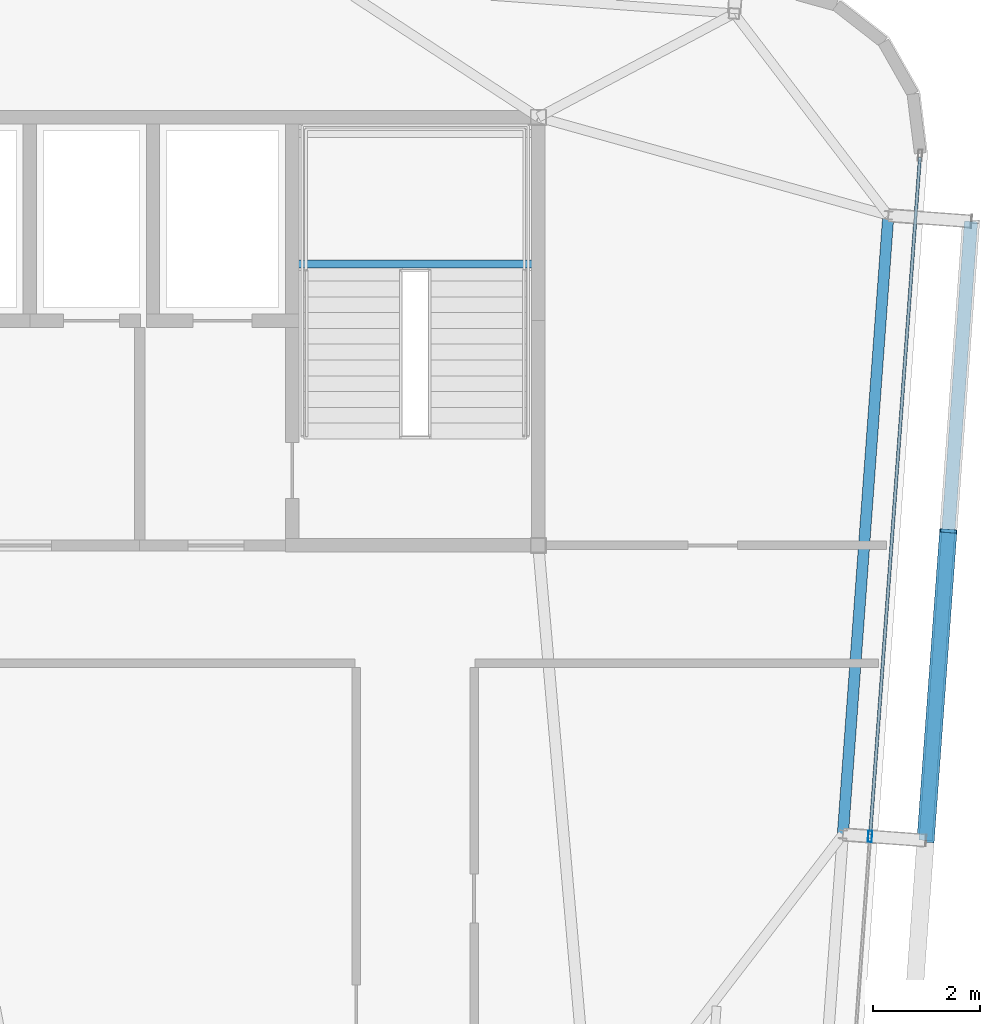
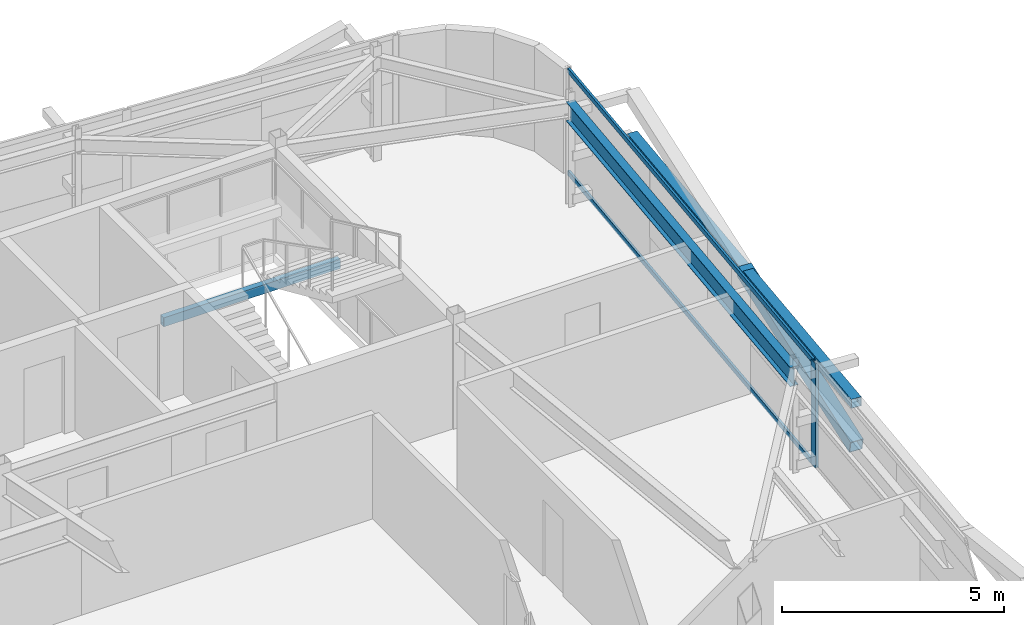
# One storey, part 21 of 40: 5 members, 2 beams, 1 element without a shape of its own.
"""IFC4 building model written with IfcOpenShell, lengths in metres."""

from ifc_helpers import new_model, si_unit, direction, frame, origin, origin_2d, place, context, subcontext, project, spatial, hollow_rectangle, i_section, extrude, source, transform, mapped, material, layer, layer_set, material_profile, profile_set, type_object, element, aggregate, save


model = new_model("IFC4")

# Units and contexts
model_context = context("Model", 3, precision=1e-05, world=origin(), true_north=direction((0.0, 1.0)))
body_context = subcontext(model_context, "Body", "Model", "MODEL_VIEW")
ifc_project = project(units=[si_unit("LENGTHUNIT", "METRE"), si_unit("AREAUNIT", "SQUARE_METRE"), si_unit("VOLUMEUNIT", "CUBIC_METRE"), si_unit("PLANEANGLEUNIT", "RADIAN"), si_unit("MASSUNIT", "GRAM", prefix="KILO")], contexts=[model_context])

# Site, building, storey
site_placement = place(None, origin())
site = spatial("IfcSite", under=ifc_project, at=site_placement, CompositionType="ELEMENT")
building_placement = place(site_placement, origin())
building = spatial("IfcBuilding", under=site, at=building_placement, Name="Taldren Reach Tower", CompositionType="ELEMENT")
storey_placement = place(building_placement, frame((0.0, 0.0, 233.449951171875)))
storey = spatial("IfcBuildingStorey", under=building, at=storey_placement, Name="L71", CompositionType="ELEMENT", Elevation=233.449951171875)

# Beam
ifc_material_1 = material(Name="Steel Gr 350 (350PLUS)", Category="steel")
ifc_material_profile_1 = material_profile(ifc_material_1, i_section(OverallWidth=0.208984375, OverallDepth=0.528076171875, WebThickness=0.009521484375, FlangeThickness=0.01318359375, at=origin_2d()), Name="530UB82.0")
ifc_profile_set_1 = profile_set([ifc_material_profile_1], Name="Steel Gr 350 (350PLUS)")
beam_type_1 = type_object("IfcBeamType", Name="SP-UB530B", PredefinedType="SPANDREL", material=ifc_profile_set_1)
shared_shape_1 = source(origin(), body_context, "Body", "SweptSolid", [
    extrude(i_section(OverallWidth=0.208984375, OverallDepth=0.528076171875, WebThickness=0.009521484375, FlangeThickness=0.01318359375, at=origin_2d()), origin(), (0.0, 0.0, 1.0), 11.60009765625),
])
beam_1_placement = place(storey_placement, frame((56.69140625, 18.599853515625, 2.60595703125), z_axis=(0.073221234109, 0.997315722766, 0.0), x_axis=(-0.997315722766, 0.073221234109, 0.0)))
element("IfcBeam", 1, at=beam_1_placement, inside=storey, type_object=beam_type_1, Name="Perimeter spandrel B5 E2-E3 L71", PredefinedType="SPANDREL", context=body_context, shape_type="MappedRepresentation", body=[
    mapped(shared_shape_1, transform((0.0, 0.0, 0.0), scale=1.0)),
])

# Members
ifc_material_2 = material(Name="Steel Gr 350 (C350L0)", Category="steel")
ifc_material_profile_2 = material_profile(ifc_material_2, hollow_rectangle(XDim=0.25, YDim=0.25, WallThickness=0.010009765625, at=origin_2d()), Name="250x250x10.0SHS")
ifc_profile_set_2 = profile_set([ifc_material_profile_2], Name="Steel Gr 350 (C350L0)")
member_type_1 = type_object("IfcMemberType", Name="MB-POST250", PredefinedType="POST", material=ifc_profile_set_2)
shared_shape_2 = source(origin(), body_context, "Body", "SweptSolid", [
    extrude(hollow_rectangle(XDim=0.25, YDim=0.25, WallThickness=0.010009765625, at=origin_2d()), origin(), (0.0, 0.0, 1.0), 11.60009765625),
])
member_1_placement = place(storey_placement, frame((58.237060546875, 18.486328125, 1.405029296875), z_axis=(0.073242167855, 0.997314185625, 0.0), x_axis=(-0.997314185625, 0.073242167855, 0.0)))
element("IfcMember", 2, at=member_1_placement, inside=storey, type_object=member_type_1, Name="Exoskeleton mid-height ring chord B5-E2 L71", PredefinedType="POST", context=body_context, shape_type="MappedRepresentation", body=[
    mapped(shared_shape_2, transform((0.0, 0.0, 0.0), scale=1.0)),
])
ifc_material_3 = material(Name="Steel Gr 450 (C450L0)", Category="steel")
ifc_material_profile_3 = material_profile(ifc_material_3, hollow_rectangle(XDim=0.324951171875, YDim=0.324951171875, WallThickness=0.0126953125, at=origin_2d()), Name="325x325x12.7SHS")
ifc_profile_set_3 = profile_set([ifc_material_profile_3], Name="Steel Gr 450 (C450L0)")
member_type_2 = type_object("IfcMemberType", Name="MB-BR324", PredefinedType="BRACE", material=ifc_profile_set_3)
shared_shape_3 = source(origin(), body_context, "Body", "SweptSolid", [
    extrude(hollow_rectangle(XDim=0.324951171875, YDim=0.324951171875, WallThickness=0.0126953125, at=origin_2d()), origin(), (0.0, 0.0, 1.0), 5.919921875),
])
member_2_placement = place(storey_placement, frame((58.237060546875, 18.486328125, 0.219970703125), z_axis=(0.071759614668, 0.977126753058, 0.200184580228), x_axis=(-0.997314185625, 0.073242167855, 0.0)))
element("IfcMember", 3, at=member_2_placement, inside=storey, type_object=member_type_2, Name="Exoskeleton Diagrid Brace B5-E2 L71", PredefinedType="BRACE", context=body_context, shape_type="MappedRepresentation", body=[
    mapped(shared_shape_3, transform((0.0, 0.0, 0.0), scale=1.0)),
])

# Curtain wall, members
ifc_material_4 = material(Name="Aluminium and Low-E Glass Unitised System", Category="aluminium")
ifc_layer = layer(ifc_material_4, 0.159912109375)
ifc_layer_set = layer_set([ifc_layer], Name="Aluminium and Low-E Glass Unitised System")
curtain_wall_type = type_object("IfcCurtainWallType", Name="CW-SYS-7", PredefinedType="NOTDEFINED", material=ifc_layer_set)
curtain_wall_placement = place(storey_placement, origin())
curtain_wall = element("IfcCurtainWall", 4, at=curtain_wall_placement, inside=storey, type_object=curtain_wall_type, Name="Unitised curtain wall CW-L71-E", PredefinedType="NOTDEFINED")
ifc_material_5 = material(Name="Anodised Aluminium 6063-T6", Category="aluminium")
ifc_material_profile_4 = material_profile(ifc_material_5, hollow_rectangle(XDim=0.06005859375, YDim=0.135009765625, WallThickness=0.00341796875, at=origin_2d()), Name="ALU-135x60x3.5RHS")
ifc_profile_set_4 = profile_set([ifc_material_profile_4], Name="Anodised Aluminium 6063-T6")
member_type_3 = type_object("IfcMemberType", Name="CW-TRN-150", PredefinedType="USERDEFINED", material=ifc_profile_set_4)
shared_shape_4 = source(origin(), body_context, "Body", "SweptSolid", [
    extrude(hollow_rectangle(XDim=0.06005859375, YDim=0.135009765625, WallThickness=0.00341796875, at=origin_2d()), origin(), (0.0, 0.0, 1.0), 12.6875),
])
member_3_placement = place(storey_placement, frame((57.20263671875, 18.599853515625, 0.030029296875), z_axis=(0.073237997916, 0.997314491854, 0.0), x_axis=(-0.997314491854, 0.073237997916, 0.0)))
member_3 = element("IfcMember", 5, at=member_3_placement, type_object=member_type_3, Name="CW-7 transom 2.1", ObjectType="TRANSOM", PredefinedType="USERDEFINED", context=body_context, shape_type="MappedRepresentation", body=[
    mapped(shared_shape_4, transform((0.0, 0.0, 0.0), scale=1.0)),
])
member_4_placement = place(storey_placement, frame((57.20263671875, 18.599853515625, 2.840087890625), z_axis=(0.073237997916, 0.997314491854, 0.0), x_axis=(-0.997314491854, 0.073237997916, 0.0)))
member_4 = element("IfcMember", 6, at=member_4_placement, type_object=member_type_3, Name="CW-7 transom 2.2", ObjectType="TRANSOM", PredefinedType="USERDEFINED", context=body_context, shape_type="MappedRepresentation", body=[
    mapped(shared_shape_4, transform((0.0, 0.0, 0.0), scale=1.0)),
])
ifc_material_profile_5 = material_profile(ifc_material_5, hollow_rectangle(XDim=0.074951171875, YDim=0.2099609375, WallThickness=0.00439453125, at=origin_2d()), Name="ALU-210x75x4.5RHS")
ifc_profile_set_5 = profile_set([ifc_material_profile_5], Name="Anodised Aluminium 6063-T6")
member_type_4 = type_object("IfcMemberType", Name="CW-MUL-200", PredefinedType="MULLION", material=ifc_profile_set_5)
shared_shape_5 = source(origin(), body_context, "Body", "SweptSolid", [
    extrude(hollow_rectangle(XDim=0.074951171875, YDim=0.2099609375, WallThickness=0.00439453125, at=origin_2d()), origin(), (0.0, 0.0, 1.0), 2.8701171875),
])
member_5_placement = place(storey_placement, frame((57.199951171875, 18.5625, 0.0), z_axis=(0.0, 0.0, 1.0), x_axis=(-0.997314470951, 0.073238282558, 0.0)))
member_5 = element("IfcMember", 7, at=member_5_placement, type_object=member_type_4, Name="CW-7 mullion 2", PredefinedType="MULLION", context=body_context, shape_type="MappedRepresentation", body=[
    mapped(shared_shape_5, transform((0.0, 0.0, 0.0), scale=1.0)),
])
aggregate(curtain_wall, [member_5, member_3, member_4])

# Beam
ifc_material_profile_6 = material_profile(ifc_material_2, hollow_rectangle(XDim=0.14990234375, YDim=0.25, WallThickness=0.009033203125, at=origin_2d()), Name="250x150x9.0RHS")
ifc_profile_set_6 = profile_set([ifc_material_profile_6], Name="Steel Gr 350 (C350L0)")
beam_type_2 = type_object("IfcBeamType", Name="LN-RHS250", PredefinedType="LINTEL", material=ifc_profile_set_6)
shared_shape_6 = source(origin(), body_context, "Body", "SweptSolid", [
    extrude(hollow_rectangle(XDim=0.14990234375, YDim=0.25, WallThickness=0.009033203125, at=origin_2d()), origin(), (0.0, 0.0, 1.0), 4.60009765625),
])
beam_2_placement = place(storey_placement, frame((46.39990234375, 29.2548828125, 1.27001953125), z_axis=(1.0, 0.0, 0.0), x_axis=(0.0, 1.0, 0.0)))
element("IfcBeam", 8, at=beam_2_placement, inside=storey, type_object=beam_type_2, Name="Stair half-landing support beam ST2-L71-1", PredefinedType="LINTEL", context=body_context, shape_type="MappedRepresentation", body=[
    mapped(shared_shape_6, transform((0.0, 0.0, 0.0), scale=1.0)),
])

save(model, "model.ifc")
